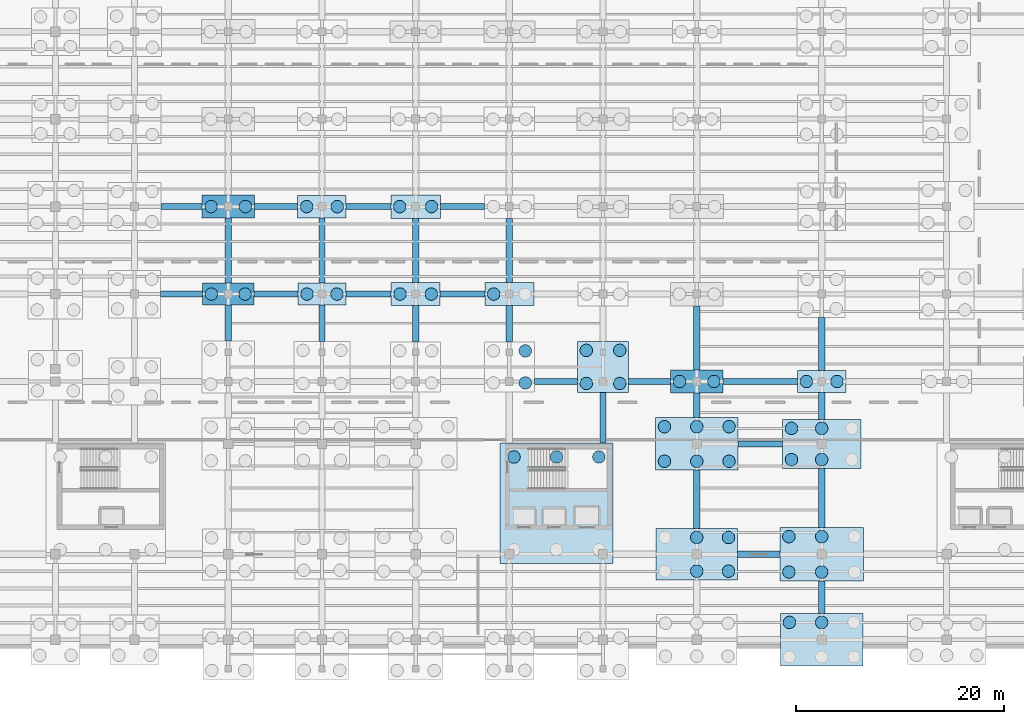
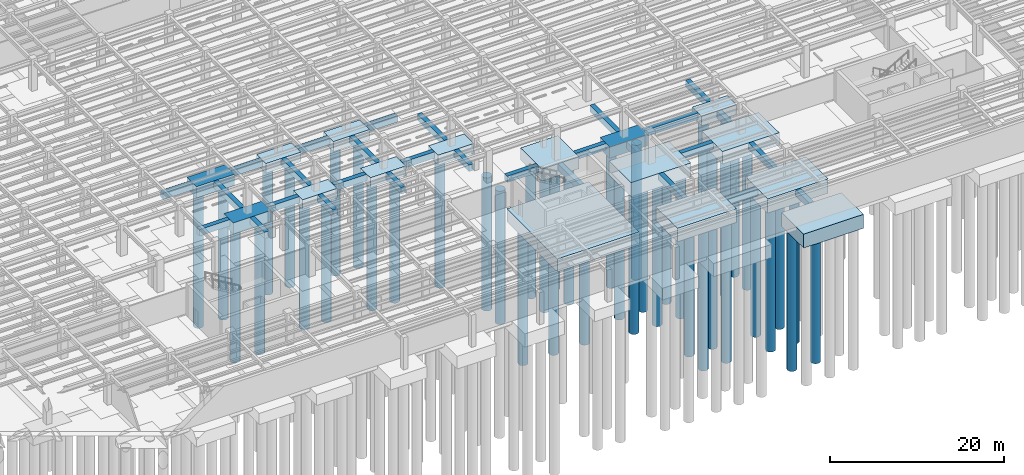
# One storey, part 6 of 49: 46 piles, 45 footings.
"""IFC4 building model written with IfcOpenShell, lengths in metres."""

import ifcopenshell
import ifcopenshell.guid

model = None  # the IFC model being written
_history = None  # IfcOwnerHistory: only IFC2X3 demands one
_inside = {}  # id of a spatial element -> (the spatial element, [elements in it])
_under = {}  # id of a project, library or spatial element -> (it, [spatial elements below it])
_declared = {}  # id of a project -> (the project, [libraries it declares])
_typed = {}  # id of a type object -> (the type object, [elements of that type])
_made_of = {}  # id of a material, layer set ... -> (it, [elements and type objects made of it])


def new_model(schema):
    """Start an empty IFC model of exactly this schema.

    Asked for "IFC4X3", IfcOpenShell would pick the latest addendum, in which some entities
    have other attributes; the version numbers below select the first issue.
    IFC2X3 requires an IfcOwnerHistory on every rooted entity: one is made here for all.
    """
    global model, _history
    if schema == "IFC4X3":
        model = ifcopenshell.file(schema_version=(4, 3, 0, 0))
    else:
        model = ifcopenshell.file(schema=schema)
    _inside.clear()
    _under.clear()
    _declared.clear()
    _typed.clear()
    _made_of.clear()
    _history = None
    if model.schema == "IFC2X3":
        org = make("IfcOrganization", Name="unknown")
        user = make(
            "IfcPersonAndOrganization",
            ThePerson=make("IfcPerson", FamilyName="unknown"),
            TheOrganization=org,
        )
        app = make(
            "IfcApplication",
            ApplicationDeveloper=org,
            Version="unknown",
            ApplicationFullName="unknown",
            ApplicationIdentifier="unknown",
        )
        _history = make(
            "IfcOwnerHistory",
            OwningUser=user,
            OwningApplication=app,
            ChangeAction="ADDED",
            CreationDate=0,
        )
    return model


def make(cls, **values):
    """One entity of the class cls with the attributes given. An attribute that is None is left unset."""
    return model.create_entity(
        cls, **{name: value for name, value in values.items() if value is not None}
    )


def rooted(cls, **values):
    """An entity with a GlobalId (a new one), such as an element, a storey or a relation."""
    return make(cls, GlobalId=ifcopenshell.guid.new(), OwnerHistory=_history, **values)


def si_unit(unit_type, name, prefix=None):
    """IfcSIUnit, for example si_unit("LENGTHUNIT", "METRE", prefix="MILLI")."""
    return make("IfcSIUnit", UnitType=unit_type, Prefix=prefix, Name=name)


def assignment(units):
    """IfcUnitAssignment: the units of a project."""
    return None if units is None else make("IfcUnitAssignment", Units=units)


def point(xyz):
    """IfcCartesianPoint."""
    return None if xyz is None else make("IfcCartesianPoint", Coordinates=xyz)


def direction(xyz):
    """IfcDirection."""
    return None if xyz is None else make("IfcDirection", DirectionRatios=xyz)


def frame(location, z_axis=None, x_axis=None):
    """IfcAxis2Placement3D, a coordinate frame: its origin and axes. An axis left out is left unset."""
    return make(
        "IfcAxis2Placement3D",
        Location=point(location),
        Axis=direction(z_axis),
        RefDirection=direction(x_axis),
    )


def frame_2d(location, x_axis=None):
    """IfcAxis2Placement2D, a coordinate frame in the plane: its origin and x axis."""
    return make(
        "IfcAxis2Placement2D", Location=point(location), RefDirection=direction(x_axis)
    )


def origin():
    """The frame at (0, 0, 0) with its axes left unset."""
    return frame((0.0, 0.0, 0.0))


def origin_2d():
    """The frame at (0, 0) in the plane with its x axis left unset."""
    return frame_2d((0.0, 0.0))


def place(relative_to, where):
    """IfcLocalPlacement: puts the frame where relative to a parent placement (None: the world)."""
    return make(
        "IfcLocalPlacement", PlacementRelTo=relative_to, RelativePlacement=where
    )


def context(
    kind, dimensions, precision=None, world=None, true_north=None, identifier=None
):
    """IfcGeometricRepresentationContext, for example the 3D "Model" context."""
    return make(
        "IfcGeometricRepresentationContext",
        ContextIdentifier=identifier,
        ContextType=kind,
        CoordinateSpaceDimension=dimensions,
        Precision=precision,
        WorldCoordinateSystem=world,
        TrueNorth=true_north,
    )


def subcontext(parent, identifier, kind, view, scale=None):
    """IfcGeometricRepresentationSubContext, for example "Body" below "Model"."""
    return make(
        "IfcGeometricRepresentationSubContext",
        ContextIdentifier=identifier,
        ContextType=kind,
        ParentContext=parent,
        TargetScale=scale,
        TargetView=view,
    )


def project(units=None, contexts=None):
    """IfcProject with its units and contexts."""
    return rooted(
        "IfcProject",
        Name="project",
        RepresentationContexts=contexts,
        UnitsInContext=assignment(units),
    )


def spatial(cls, under=None, at=None, **own):
    """A site, building, storey or space (cls), placed at a placement, below another one or the project."""
    s = rooted(cls, ObjectPlacement=at, **own)
    if under is not None:
        _under.setdefault(under.id(), (under, []))[1].append(s)
    return s


def profile(cls, at=None, kind="AREA", **sizes):
    """A parametric profile (cls). Its sizes go by their IFC names, for example OverallWidth=200.0."""
    return make(cls, ProfileType=kind, Position=at, **sizes)


def rectangle(**sizes):
    """IfcRectangleProfileDef."""
    return profile("IfcRectangleProfileDef", **sizes)


def circle(**sizes):
    """IfcCircleProfileDef."""
    return profile("IfcCircleProfileDef", **sizes)


def extrude(swept, where, along, depth):
    """IfcExtrudedAreaSolid: the profile swept, set in the frame where, extruded along a direction by depth."""
    return make(
        "IfcExtrudedAreaSolid",
        SweptArea=swept,
        Position=where,
        ExtrudedDirection=direction(along),
        Depth=depth,
    )


def shape(context_of_items, identifier, shape_type, items):
    """IfcShapeRepresentation: the items that make up one representation, for example the "Body"."""
    return make(
        "IfcShapeRepresentation",
        ContextOfItems=context_of_items,
        RepresentationIdentifier=identifier,
        RepresentationType=shape_type,
        Items=items,
    )


def material(Name=None, Category=None):
    """IfcMaterial."""
    return make("IfcMaterial", Name=Name, Category=Category)


def material_profile(
    of_material, cross_section, Name=None, Category=None, Priority=None
):
    """IfcMaterialProfile: a cross section and its material."""
    return make(
        "IfcMaterialProfile",
        Name=Name,
        Material=of_material,
        Profile=cross_section,
        Priority=Priority,
        Category=Category,
    )


def profile_set(profiles, Name=None, composite=None):
    """IfcMaterialProfileSet."""
    return make(
        "IfcMaterialProfileSet",
        Name=Name,
        MaterialProfiles=profiles,
        CompositeProfile=composite,
    )


def made_of(thing, what):
    """Note that an element or type object is made of a material, layer set ...; save() writes the relation."""
    if what is not None:
        _made_of.setdefault(what.id(), (what, []))[1].append(thing)
    return thing


def type_object(cls, material=None, **own):
    """A type object (cls), such as IfcWallType, which elements share."""
    return made_of(rooted(cls, **own), material)


def element(
    cls,
    number,
    at=None,
    inside=None,
    cuts=None,
    type_object=None,
    material=None,
    context=None,
    identifier="Body",
    shape_type=None,
    held_by="IfcProductDefinitionShape",
    body=None,
    shapes=None,
    **own,
):
    """One element of the class cls, such as IfcWall. Its Tag is "e" and its number.

    at: its placement. inside: the storey or other place that contains it. cuts: it is an
    opening in that element (IfcRelVoidsElement). A single representation is given by context,
    identifier, shape_type and body (its items); several are given by shapes. held_by: the class
    of the entity that holds the representations. save() writes the other relations.
    """
    e = rooted(cls, Tag="e%d" % number, ObjectPlacement=at, **own)
    if body is not None:
        shapes = [shape(context, identifier, shape_type, body)]
    if shapes is not None:
        e.Representation = make(held_by, Representations=shapes)
    if inside is not None:
        _inside.setdefault(inside.id(), (inside, []))[1].append(e)
    if cuts is not None:
        rooted(
            "IfcRelVoidsElement", RelatingBuildingElement=cuts, RelatedOpeningElement=e
        )
    if type_object is not None:
        _typed.setdefault(type_object.id(), (type_object, []))[1].append(e)
    return made_of(e, material)


def aggregate(whole, parts):
    """IfcRelAggregates: a whole, such as a stair, and the parts it consists of."""
    return rooted("IfcRelAggregates", RelatingObject=whole, RelatedObjects=parts)


def save(model, path):
    """Write the relations noted so far, then the file.

    IfcRelAggregates (storeys below a building ...), IfcRelContainedInSpatialStructure (elements
    in a storey), IfcRelDefinesByType, IfcRelAssociatesMaterial and IfcRelDeclares: one each for
    every whole, place, type object, material and project.
    """
    for whole, parts in _under.values():
        aggregate(whole, parts)
    for where, things in _inside.values():
        rooted(
            "IfcRelContainedInSpatialStructure",
            RelatedElements=things,
            RelatingStructure=where,
        )
    for kind, things in _typed.values():
        rooted("IfcRelDefinesByType", RelatedObjects=things, RelatingType=kind)
    for what, things in _made_of.values():
        rooted("IfcRelAssociatesMaterial", RelatedObjects=things, RelatingMaterial=what)
    for by, libraries in _declared.values():
        rooted("IfcRelDeclares", RelatingContext=by, RelatedDefinitions=libraries)
    model.write(path)


model = new_model("IFC4")

# Units and contexts
model_context = context("Model", 3, precision=1e-05, world=origin(), true_north=direction((0.0, 1.0)))
body_context = subcontext(model_context, "Body", "Model", "MODEL_VIEW")
ifc_project = project(units=[si_unit("LENGTHUNIT", "METRE"), si_unit("AREAUNIT", "SQUARE_METRE"), si_unit("VOLUMEUNIT", "CUBIC_METRE"), si_unit("PLANEANGLEUNIT", "RADIAN"), si_unit("MASSUNIT", "GRAM", prefix="KILO")], contexts=[model_context])

# Site, building, storey
site_placement = place(None, origin())
site = spatial("IfcSite", under=ifc_project, at=site_placement, CompositionType="ELEMENT")
building_placement = place(site_placement, origin())
building = spatial("IfcBuilding", under=site, at=building_placement, Name="Sollismere Congress Hotel", CompositionType="ELEMENT")
storey_placement = place(building_placement, frame((0.0, 0.0, -4.5)))
storey = spatial("IfcBuildingStorey", under=building, at=storey_placement, Name="B1", CompositionType="ELEMENT", Elevation=-4.5)

# Footings
ifc_material = material(Name="Concrete C40/50", Category="concrete")
footing_type_1 = type_object("IfcFootingType", Name="FT-GB600", PredefinedType="FOOTING_BEAM", material=ifc_material)
footing_1_placement = place(storey_placement, frame((117.949951171875, 8.199951171875, -0.89990234375), z_axis=(0.0, 0.0, 1.0), x_axis=(1.0, 0.0, 0.0)))
element("IfcFooting", 1, at=footing_1_placement, inside=storey, type_object=footing_type_1, Name="FTG-GB-019", PredefinedType="FOOTING_BEAM", context=body_context, shape_type="SweptSolid", body=[
    extrude(rectangle(XDim=4.080078125, YDim=0.60009765625, at=origin_2d()), origin(), (0.0, 0.0, 1.0), 0.89990234375),
])
footing_2_placement = place(storey_placement, frame((118.10009765625, 18.800048828125, -0.89990234375), z_axis=(0.0, 0.0, 1.0), x_axis=(1.0, 0.0, 0.0)))
element("IfcFooting", 2, at=footing_2_placement, inside=storey, type_object=footing_type_1, Name="FTG-GB-030", PredefinedType="FOOTING_BEAM", context=body_context, shape_type="SweptSolid", body=[
    extrude(rectangle(XDim=4.280029296875, YDim=0.60009765625, at=origin_2d()), origin(), (0.0, 0.0, 1.0), 0.89990234375),
])
footing_3_placement = place(storey_placement, frame((98.465087890625, 24.800048828125, -0.89990234375), z_axis=(0.0, 0.0, 1.0), x_axis=(1.0, 0.0, 0.0)))
element("IfcFooting", 3, at=footing_3_placement, inside=storey, type_object=footing_type_1, Name="FTG-GB-043", PredefinedType="FOOTING_BEAM", context=body_context, shape_type="SweptSolid", body=[
    extrude(rectangle(XDim=4.139892578125, YDim=0.60009765625, at=origin_2d()), origin(), (0.0, 0.0, 1.0), 0.89990234375),
])
footing_4_placement = place(storey_placement, frame((107.4775390625, 24.800048828125, -0.89990234375), z_axis=(0.0, 0.0, 1.0), x_axis=(1.0, 0.0, 0.0)))
element("IfcFooting", 4, at=footing_4_placement, inside=storey, type_object=footing_type_1, Name="FTG-GB-044", PredefinedType="FOOTING_BEAM", context=body_context, shape_type="SweptSolid", body=[
    extrude(rectangle(XDim=4.02490234375, YDim=0.60009765625, at=origin_2d()), origin(), (0.0, 0.0, 1.0), 0.89990234375),
])
footing_5_placement = place(storey_placement, frame((118.090087890625, 24.800048828125, -0.89990234375), z_axis=(0.0, 0.0, 1.0), x_axis=(1.0, 0.0, 0.0)))
element("IfcFooting", 5, at=footing_5_placement, inside=storey, type_object=footing_type_1, Name="FTG-GB-045", PredefinedType="FOOTING_BEAM", context=body_context, shape_type="SweptSolid", body=[
    extrude(rectangle(XDim=7.159912109375, YDim=0.60009765625, at=origin_2d()), origin(), (0.0, 0.0, 1.0), 0.89990234375),
])
footing_6_placement = place(storey_placement, frame((62.510009765625, 33.199951171875, -0.89990234375), z_axis=(0.0, 0.0, 1.0), x_axis=(1.0, 0.0, 0.0)))
element("IfcFooting", 6, at=footing_6_placement, inside=storey, type_object=footing_type_1, Name="FTG-GB-056", PredefinedType="FOOTING_BEAM", context=body_context, shape_type="SweptSolid", body=[
    extrude(rectangle(XDim=4.02001953125, YDim=0.60009765625, at=origin_2d()), origin(), (0.0, 0.0, 1.0), 0.89990234375),
])
footing_7_placement = place(storey_placement, frame((71.590087890625, 33.199951171875, -0.89990234375), z_axis=(0.0, 0.0, 1.0), x_axis=(1.0, 0.0, 0.0)))
element("IfcFooting", 7, at=footing_7_placement, inside=storey, type_object=footing_type_1, Name="FTG-GB-057", PredefinedType="FOOTING_BEAM", context=body_context, shape_type="SweptSolid", body=[
    extrude(rectangle(XDim=4.219970703125, YDim=0.60009765625, at=origin_2d()), origin(), (0.0, 0.0, 1.0), 0.89990234375),
])
footing_8_placement = place(storey_placement, frame((80.469970703125, 33.199951171875, -0.89990234375), z_axis=(0.0, 0.0, 1.0), x_axis=(1.0, 0.0, 0.0)))
element("IfcFooting", 8, at=footing_8_placement, inside=storey, type_object=footing_type_1, Name="FTG-GB-058", PredefinedType="FOOTING_BEAM", context=body_context, shape_type="SweptSolid", body=[
    extrude(rectangle(XDim=4.340087890625, YDim=0.60009765625, at=origin_2d()), origin(), (0.0, 0.0, 1.0), 0.89990234375),
])
footing_9_placement = place(storey_placement, frame((89.5, 33.199951171875, -0.89990234375), z_axis=(0.0, 0.0, 1.0), x_axis=(1.0, 0.0, 0.0)))
element("IfcFooting", 9, at=footing_9_placement, inside=storey, type_object=footing_type_1, Name="FTG-GB-059", PredefinedType="FOOTING_BEAM", context=body_context, shape_type="SweptSolid", body=[
    extrude(rectangle(XDim=4.280029296875, YDim=0.60009765625, at=origin_2d()), origin(), (0.0, 0.0, 1.0), 0.89990234375),
])
footing_10_placement = place(storey_placement, frame((62.510009765625, 41.60009765625, -0.89990234375), z_axis=(0.0, 0.0, 1.0), x_axis=(1.0, 0.0, 0.0)))
element("IfcFooting", 10, at=footing_10_placement, inside=storey, type_object=footing_type_1, Name="FTG-GB-073", PredefinedType="FOOTING_BEAM", context=body_context, shape_type="SweptSolid", body=[
    extrude(rectangle(XDim=3.9599609375, YDim=0.60009765625, at=origin_2d()), origin(), (0.0, 0.0, 1.0), 0.89990234375),
])
footing_11_placement = place(storey_placement, frame((71.590087890625, 41.60009765625, -0.89990234375), z_axis=(0.0, 0.0, 1.0), x_axis=(1.0, 0.0, 0.0)))
element("IfcFooting", 11, at=footing_11_placement, inside=storey, type_object=footing_type_1, Name="FTG-GB-074", PredefinedType="FOOTING_BEAM", context=body_context, shape_type="SweptSolid", body=[
    extrude(rectangle(XDim=4.159912109375, YDim=0.60009765625, at=origin_2d()), origin(), (0.0, 0.0, 1.0), 0.89990234375),
])
footing_12_placement = place(storey_placement, frame((80.469970703125, 41.60009765625, -0.89990234375), z_axis=(0.0, 0.0, 1.0), x_axis=(1.0, 0.0, 0.0)))
element("IfcFooting", 12, at=footing_12_placement, inside=storey, type_object=footing_type_1, Name="FTG-GB-075", PredefinedType="FOOTING_BEAM", context=body_context, shape_type="SweptSolid", body=[
    extrude(rectangle(XDim=4.280029296875, YDim=0.60009765625, at=origin_2d()), origin(), (0.0, 0.0, 1.0), 0.89990234375),
])
footing_13_placement = place(storey_placement, frame((89.5, 41.60009765625, -0.89990234375), z_axis=(0.0, 0.0, 1.0), x_axis=(1.0, 0.0, 0.0)))
element("IfcFooting", 13, at=footing_13_placement, inside=storey, type_object=footing_type_1, Name="FTG-GB-076", PredefinedType="FOOTING_BEAM", context=body_context, shape_type="SweptSolid", body=[
    extrude(rectangle(XDim=4.219970703125, YDim=0.60009765625, at=origin_2d()), origin(), (0.0, 0.0, 1.0), 0.89990234375),
])
footing_14_placement = place(storey_placement, frame((67.0, 30.41748046875, -0.89990234375), z_axis=(0.0, 0.0, 1.0), x_axis=(0.0, 1.0, 0.0)))
element("IfcFooting", 14, at=footing_14_placement, inside=storey, type_object=footing_type_1, Name="FTG-GB-316", PredefinedType="FOOTING_BEAM", context=body_context, shape_type="SweptSolid", body=[
    extrude(rectangle(XDim=3.4150390625, YDim=0.60009765625, at=origin_2d()), origin(), (0.0, 0.0, 1.0), 0.89990234375),
])
footing_15_placement = place(storey_placement, frame((67.0, 37.387451171875, -0.89990234375), z_axis=(0.0, 0.0, 1.0), x_axis=(0.0, 1.0, 0.0)))
element("IfcFooting", 15, at=footing_15_placement, inside=storey, type_object=footing_type_1, Name="FTG-GB-317", PredefinedType="FOOTING_BEAM", context=body_context, shape_type="SweptSolid", body=[
    extrude(rectangle(XDim=6.22509765625, YDim=0.60009765625, at=origin_2d()), origin(), (0.0, 0.0, 1.0), 0.89990234375),
])
footing_16_placement = place(storey_placement, frame((76.0, 30.39990234375, -0.89990234375), z_axis=(0.0, 0.0, 1.0), x_axis=(0.0, 1.0, 0.0)))
element("IfcFooting", 16, at=footing_16_placement, inside=storey, type_object=footing_type_1, Name="FTG-GB-329", PredefinedType="FOOTING_BEAM", context=body_context, shape_type="SweptSolid", body=[
    extrude(rectangle(XDim=3.5, YDim=0.60009765625, at=origin_2d()), origin(), (0.0, 0.0, 1.0), 0.89990234375),
])
footing_17_placement = place(storey_placement, frame((76.0, 37.387451171875, -0.89990234375), z_axis=(0.0, 0.0, 1.0), x_axis=(0.0, 1.0, 0.0)))
element("IfcFooting", 17, at=footing_17_placement, inside=storey, type_object=footing_type_1, Name="FTG-GB-330", PredefinedType="FOOTING_BEAM", context=body_context, shape_type="SweptSolid", body=[
    extrude(rectangle(XDim=6.27490234375, YDim=0.60009765625, at=origin_2d()), origin(), (0.0, 0.0, 1.0), 0.89990234375),
])
footing_18_placement = place(storey_placement, frame((85.0, 30.35009765625, -0.89990234375), z_axis=(0.0, 0.0, 1.0), x_axis=(0.0, 1.0, 0.0)))
element("IfcFooting", 18, at=footing_18_placement, inside=storey, type_object=footing_type_1, Name="FTG-GB-339", PredefinedType="FOOTING_BEAM", context=body_context, shape_type="SweptSolid", body=[
    extrude(rectangle(XDim=3.5, YDim=0.60009765625, at=origin_2d()), origin(), (0.0, 0.0, 1.0), 0.89990234375),
])
footing_19_placement = place(storey_placement, frame((85.0, 37.387451171875, -0.89990234375), z_axis=(0.0, 0.0, 1.0), x_axis=(0.0, 1.0, 0.0)))
element("IfcFooting", 19, at=footing_19_placement, inside=storey, type_object=footing_type_1, Name="FTG-GB-340", PredefinedType="FOOTING_BEAM", context=body_context, shape_type="SweptSolid", body=[
    extrude(rectangle(XDim=6.175048828125, YDim=0.60009765625, at=origin_2d()), origin(), (0.0, 0.0, 1.0), 0.89990234375),
])
footing_20_placement = place(storey_placement, frame((94.0, 30.35009765625, -0.89990234375), z_axis=(0.0, 0.0, 1.0), x_axis=(0.0, 1.0, 0.0)))
element("IfcFooting", 20, at=footing_20_placement, inside=storey, type_object=footing_type_1, Name="FTG-GB-348", PredefinedType="FOOTING_BEAM", context=body_context, shape_type="SweptSolid", body=[
    extrude(rectangle(XDim=3.5, YDim=0.60009765625, at=origin_2d()), origin(), (0.0, 0.0, 1.0), 0.89990234375),
])
footing_21_placement = place(storey_placement, frame((94.0, 37.387451171875, -0.89990234375), z_axis=(0.0, 0.0, 1.0), x_axis=(0.0, 1.0, 0.0)))
element("IfcFooting", 21, at=footing_21_placement, inside=storey, type_object=footing_type_1, Name="FTG-GB-349", PredefinedType="FOOTING_BEAM", context=body_context, shape_type="SweptSolid", body=[
    extrude(rectangle(XDim=6.175048828125, YDim=0.60009765625, at=origin_2d()), origin(), (0.0, 0.0, 1.0), 0.89990234375),
])
footing_22_placement = place(storey_placement, frame((103.0, 21.324951171875, -0.89990234375), z_axis=(0.0, 0.0, 1.0), x_axis=(0.0, 1.0, 0.0)))
element("IfcFooting", 22, at=footing_22_placement, inside=storey, type_object=footing_type_1, Name="FTG-GB-359", PredefinedType="FOOTING_BEAM", context=body_context, shape_type="SweptSolid", body=[
    extrude(rectangle(XDim=4.85009765625, YDim=0.60009765625, at=origin_2d()), origin(), (0.0, 0.0, 1.0), 0.89990234375),
])
footing_23_placement = place(storey_placement, frame((112.0, 13.47998046875, -0.89990234375), z_axis=(0.0, 0.0, 1.0), x_axis=(0.0, 1.0, 0.0)))
element("IfcFooting", 23, at=footing_23_placement, inside=storey, type_object=footing_type_1, Name="FTG-GB-371", PredefinedType="FOOTING_BEAM", context=body_context, shape_type="SweptSolid", body=[
    extrude(rectangle(XDim=5.60009765625, YDim=0.60009765625, at=origin_2d()), origin(), (0.0, 0.0, 1.0), 0.89990234375),
])
footing_24_placement = place(storey_placement, frame((112.0, 22.510009765625, -0.89990234375), z_axis=(0.0, 0.0, 1.0), x_axis=(0.0, 1.0, 0.0)))
element("IfcFooting", 24, at=footing_24_placement, inside=storey, type_object=footing_type_1, Name="FTG-GB-372", PredefinedType="FOOTING_BEAM", context=body_context, shape_type="SweptSolid", body=[
    extrude(rectangle(XDim=2.3798828125, YDim=0.60009765625, at=origin_2d()), origin(), (0.0, 0.0, 1.0), 0.89990234375),
])
footing_25_placement = place(storey_placement, frame((112.0, 28.987548828125, -0.89990234375), z_axis=(0.0, 0.0, 1.0), x_axis=(0.0, 1.0, 0.0)))
element("IfcFooting", 25, at=footing_25_placement, inside=storey, type_object=footing_type_1, Name="FTG-GB-373", PredefinedType="FOOTING_BEAM", context=body_context, shape_type="SweptSolid", body=[
    extrude(rectangle(XDim=6.175048828125, YDim=0.60009765625, at=origin_2d()), origin(), (0.0, 0.0, 1.0), 0.89990234375),
])
footing_26_placement = place(storey_placement, frame((124.0, 4.080078125, -0.89990234375), z_axis=(0.0, 0.0, 1.0), x_axis=(0.0, 1.0, 0.0)))
element("IfcFooting", 26, at=footing_26_placement, inside=storey, type_object=footing_type_1, Name="FTG-GB-383", PredefinedType="FOOTING_BEAM", context=body_context, shape_type="SweptSolid", body=[
    extrude(rectangle(XDim=3.1201171875, YDim=0.60009765625, at=origin_2d()), origin(), (0.0, 0.0, 1.0), 0.89990234375),
])
footing_27_placement = place(storey_placement, frame((124.0, 13.60009765625, -0.89990234375), z_axis=(0.0, 0.0, 1.0), x_axis=(0.0, 1.0, 0.0)))
element("IfcFooting", 27, at=footing_27_placement, inside=storey, type_object=footing_type_1, Name="FTG-GB-384", PredefinedType="FOOTING_BEAM", context=body_context, shape_type="SweptSolid", body=[
    extrude(rectangle(XDim=5.679931640625, YDim=0.60009765625, at=origin_2d()), origin(), (0.0, 0.0, 1.0), 0.89990234375),
])
footing_28_placement = place(storey_placement, frame((124.0, 22.4423828125, -0.89990234375), z_axis=(0.0, 0.0, 1.0), x_axis=(0.0, 1.0, 0.0)))
element("IfcFooting", 28, at=footing_28_placement, inside=storey, type_object=footing_type_1, Name="FTG-GB-385", PredefinedType="FOOTING_BEAM", context=body_context, shape_type="SweptSolid", body=[
    extrude(rectangle(XDim=2.56494140625, YDim=0.60009765625, at=origin_2d()), origin(), (0.0, 0.0, 1.0), 0.89990234375),
])
footing_29_placement = place(storey_placement, frame((124.0, 28.407470703125, -0.89990234375), z_axis=(0.0, 0.0, 1.0), x_axis=(0.0, 1.0, 0.0)))
element("IfcFooting", 29, at=footing_29_placement, inside=storey, type_object=footing_type_1, Name="FTG-GB-386", PredefinedType="FOOTING_BEAM", context=body_context, shape_type="SweptSolid", body=[
    extrude(rectangle(XDim=5.06494140625, YDim=0.60009765625, at=origin_2d()), origin(), (0.0, 0.0, 1.0), 0.89990234375),
])
footing_type_2 = type_object("IfcFootingType", Name="FT-MAT-K2", PredefinedType="PILE_CAP", material=ifc_material)
footing_30_placement = place(storey_placement, frame((98.52490234375, 13.10009765625, -1.7998046875), z_axis=(0.0, 0.0, 1.0), x_axis=(1.0, 0.0, 0.0)))
element("IfcFooting", 30, at=footing_30_placement, inside=storey, type_object=footing_type_2, Name="Core pile cap mat PCM-K2", PredefinedType="PILE_CAP", context=body_context, shape_type="SweptSolid", body=[
    extrude(rectangle(XDim=10.85009765625, YDim=11.60009765625, at=origin_2d()), origin(), (0.0, 0.0, 1.0), 1.800048828125),
])
footing_type_3 = type_object("IfcFootingType", Name="FT-PC2-01", PredefinedType="PILE_CAP", material=ifc_material)
footing_31_placement = place(storey_placement, frame((76.0, 33.199951171875, -1.2998046875), z_axis=(0.0, 0.0, 1.0), x_axis=(1.0, 0.0, 0.0)))
element("IfcFooting", 31, at=footing_31_placement, inside=storey, type_object=footing_type_3, Name="Reinforced concrete pile cap PC-121", PredefinedType="PILE_CAP", context=body_context, shape_type="SweptSolid", body=[
    extrude(rectangle(XDim=4.60009765625, YDim=2.10009765625, at=origin_2d()), origin(), (0.0, 0.0, 1.0), 1.300048828125),
])
footing_type_4 = type_object("IfcFootingType", Name="FT-PC2-02", PredefinedType="PILE_CAP", material=ifc_material)
for number, where, z_axis, x_axis, name in (
    (32, (76.0, 41.60009765625, -1.33984375), (0.0, 0.0, 1.0), (1.0, 0.0, 0.0), "Reinforced concrete pile cap PC-122"),
    (33, (124.0, 24.800048828125, -1.33984375), (0.0, 0.0, 1.0), (1.0, 0.0, 0.0), "Reinforced concrete pile cap PC-182"),
):
    element("IfcFooting", number, at=place(storey_placement, frame(where, z_axis=z_axis, x_axis=x_axis)), inside=storey, type_object=footing_type_4, Name=name, PredefinedType="PILE_CAP", context=body_context, shape_type="SweptSolid", body=[
        extrude(rectangle(XDim=4.659912109375, YDim=2.14990234375, at=origin_2d()), origin(), (0.0, 0.0, 1.0), 1.340087890625),
    ])
footing_type_5 = type_object("IfcFootingType", Name="FT-PC2-03", PredefinedType="PILE_CAP", material=ifc_material)
for number, where, z_axis, x_axis, name in (
    (34, (85.0, 33.199951171875, -1.3798828125), (0.0, 0.0, 1.0), (1.0, 0.0, 0.0), "Reinforced concrete pile cap PC-133"),
    (35, (94.0, 33.199951171875, -1.3798828125), (0.0, 0.0, 1.0), (1.0, 0.0, 0.0), "Reinforced concrete pile cap PC-143"),
):
    element("IfcFooting", number, at=place(storey_placement, frame(where, z_axis=z_axis, x_axis=x_axis)), inside=storey, type_object=footing_type_5, Name=name, PredefinedType="PILE_CAP", context=body_context, shape_type="SweptSolid", body=[
        extrude(rectangle(XDim=4.719970703125, YDim=2.199951171875, at=origin_2d()), origin(), (0.0, 0.0, 1.0), 1.3798828125),
    ])
footing_type_6 = type_object("IfcFootingType", Name="FT-PC2-04", PredefinedType="PILE_CAP", material=ifc_material)
footing_32_placement = place(storey_placement, frame((85.0, 41.60009765625, -1.419921875), z_axis=(0.0, 0.0, 1.0), x_axis=(1.0, 0.0, 0.0)))
element("IfcFooting", 36, at=footing_32_placement, inside=storey, type_object=footing_type_6, Name="Reinforced concrete pile cap PC-134", PredefinedType="PILE_CAP", context=body_context, shape_type="SweptSolid", body=[
    extrude(rectangle(XDim=4.780029296875, YDim=2.25, at=origin_2d()), origin(), (0.0, 0.0, 1.0), 1.419921875),
])
footing_type_7 = type_object("IfcFootingType", Name="FT-PC2-07", PredefinedType="PILE_CAP", material=ifc_material)
footing_33_placement = place(storey_placement, frame((67.0, 33.199951171875, -1.5400390625), z_axis=(0.0, 0.0, 1.0), x_axis=(1.0, 0.0, 0.0)))
element("IfcFooting", 37, at=footing_33_placement, inside=storey, type_object=footing_type_7, Name="Reinforced concrete pile cap PC-107", PredefinedType="PILE_CAP", context=body_context, shape_type="SweptSolid", body=[
    extrude(rectangle(XDim=4.9599609375, YDim=2.14990234375, at=origin_2d()), origin(), (0.0, 0.0, 1.0), 1.5400390625),
])
footing_type_8 = type_object("IfcFootingType", Name="FT-PC2-08", PredefinedType="PILE_CAP", material=ifc_material)
for number, where, z_axis, x_axis, name in (
    (38, (67.0, 41.60009765625, -1.580078125), (0.0, 0.0, 1.0), (1.0, 0.0, 0.0), "Reinforced concrete pile cap PC-108"),
    (39, (112.0, 24.800048828125, -1.580078125), (0.0, 0.0, 1.0), (1.0, 0.0, 0.0), "Reinforced concrete pile cap PC-168"),
):
    element("IfcFooting", number, at=place(storey_placement, frame(where, z_axis=z_axis, x_axis=x_axis)), inside=storey, type_object=footing_type_8, Name=name, PredefinedType="PILE_CAP", context=body_context, shape_type="SweptSolid", body=[
        extrude(rectangle(XDim=5.02001953125, YDim=2.199951171875, at=origin_2d()), origin(), (0.0, 0.0, 1.0), 1.580078125),
    ])
footing_type_9 = type_object("IfcFootingType", Name="FT-PC4H-04", PredefinedType="PILE_CAP", material=ifc_material)
footing_34_placement = place(storey_placement, frame((103.0, 26.199951171875, -1.669921875), z_axis=(0.0, 0.0, 1.0), x_axis=(1.0, 0.0, 0.0)))
element("IfcFooting", 40, at=footing_34_placement, inside=storey, type_object=footing_type_9, Name="Reinforced concrete pile cap PC-154", PredefinedType="PILE_CAP", context=body_context, shape_type="SweptSolid", body=[
    extrude(rectangle(XDim=4.929931640625, YDim=4.89990234375, at=origin_2d()), origin(), (0.0, 0.0, 1.0), 1.669921875),
])
footing_type_10 = type_object("IfcFootingType", Name="FT-PC6-01", PredefinedType="PILE_CAP", material=ifc_material)
footing_35_placement = place(storey_placement, frame((124.0, 18.800048828125, -1.75), z_axis=(0.0, 0.0, 1.0), x_axis=(1.0, 0.0, 0.0)))
element("IfcFooting", 41, at=footing_35_placement, inside=storey, type_object=footing_type_10, Name="Reinforced concrete pile cap PC-181", PredefinedType="PILE_CAP", context=body_context, shape_type="SweptSolid", body=[
    extrude(rectangle(XDim=7.52001953125, YDim=4.719970703125, at=origin_2d()), origin(), (0.0, 0.0, 1.0), 1.75),
])
footing_type_11 = type_object("IfcFootingType", Name="FT-PC6-04", PredefinedType="PILE_CAP", material=ifc_material)
footing_36_placement = place(storey_placement, frame((112.0, 8.199951171875, -1.89990234375), z_axis=(0.0, 0.0, 1.0), x_axis=(1.0, 0.0, 0.0)))
element("IfcFooting", 42, at=footing_36_placement, inside=storey, type_object=footing_type_11, Name="Reinforced concrete pile cap PC-166", PredefinedType="PILE_CAP", context=body_context, shape_type="SweptSolid", body=[
    extrude(rectangle(XDim=7.820068359375, YDim=4.9599609375, at=origin_2d()), origin(), (0.0, 0.0, 1.0), 1.89990234375),
])
footing_type_12 = type_object("IfcFootingType", Name="FT-PC6-05", PredefinedType="PILE_CAP", material=ifc_material)
for number, where, z_axis, x_axis, name in (
    (43, (112.0, 18.800048828125, -1.9501953125), (0.0, 0.0, 1.0), (1.0, 0.0, 0.0), "Reinforced concrete pile cap PC-167"),
    (44, (124.0, 0.0, -1.9501953125), (0.0, 0.0, 1.0), (1.0, 0.0, 0.0), "Reinforced concrete pile cap PC-179"),
):
    element("IfcFooting", number, at=place(storey_placement, frame(where, z_axis=z_axis, x_axis=x_axis)), inside=storey, type_object=footing_type_12, Name=name, PredefinedType="PILE_CAP", context=body_context, shape_type="SweptSolid", body=[
        extrude(rectangle(XDim=7.919921875, YDim=5.0400390625, at=origin_2d()), origin(), (0.0, 0.0, 1.0), 1.949951171875),
    ])
footing_type_13 = type_object("IfcFootingType", Name="FT-PC6-06", PredefinedType="PILE_CAP", material=ifc_material)
footing_37_placement = place(storey_placement, frame((124.0, 8.199951171875, -2.0), z_axis=(0.0, 0.0, 1.0), x_axis=(1.0, 0.0, 0.0)))
element("IfcFooting", 45, at=footing_37_placement, inside=storey, type_object=footing_type_13, Name="Reinforced concrete pile cap PC-180", PredefinedType="PILE_CAP", context=body_context, shape_type="SweptSolid", body=[
    extrude(rectangle(XDim=8.02001953125, YDim=5.1201171875, at=origin_2d()), origin(), (0.0, 0.0, 1.0), 2.0),
])

# Piles
ifc_material_profile = material_profile(ifc_material, circle(Radius=0.60009765625, at=origin_2d()), Name="CAISSON1200")
ifc_profile_set = profile_set([ifc_material_profile], Name="Concrete C40/50")
pile_type = type_object("IfcPileType", Name="PL-CS1200", PredefinedType="BORED", material=ifc_profile_set)
for number, where, z_axis, x_axis, name in (
    (46, (65.3798828125, 33.199951171875, -1.43994140625), (0.0, 0.0, -1.0), (1.0, 0.0, 0.0), "Bored rock-socketed caisson PL-331"),
    (47, (68.6201171875, 33.199951171875, -1.43994140625), (0.0, 0.0, -1.0), (1.0, 0.0, 0.0), "Bored rock-socketed caisson PL-332"),
):
    element("IfcPile", number, at=place(storey_placement, frame(where, z_axis=z_axis, x_axis=x_axis)), inside=storey, type_object=pile_type, Name=name, PredefinedType="BORED", context=body_context, shape_type="SweptSolid", body=[
        extrude(circle(Radius=0.60009765625, at=origin_2d()), origin(), (0.0, 0.0, 1.0), 18.699951171875),
    ])
for number, where, z_axis, x_axis, name in (
    (48, (65.35009765625, 41.60009765625, -1.47998046875), (0.0, 0.0, -1.0), (1.0, 0.0, 0.0), "Bored rock-socketed caisson PL-333"),
    (49, (68.64990234375, 41.60009765625, -1.47998046875), (0.0, 0.0, -1.0), (1.0, 0.0, 0.0), "Bored rock-socketed caisson PL-334"),
):
    element("IfcPile", number, at=place(storey_placement, frame(where, z_axis=z_axis, x_axis=x_axis)), inside=storey, type_object=pile_type, Name=name, PredefinedType="BORED", context=body_context, shape_type="SweptSolid", body=[
        extrude(circle(Radius=0.60009765625, at=origin_2d()), origin(), (0.0, 0.0, 1.0), 18.89990234375),
    ])
for number, where, z_axis, x_axis, name in (
    (50, (74.56005859375, 33.199951171875, -1.199951171875), (0.0, 0.0, -1.0), (1.0, 0.0, 0.0), "Bored rock-socketed caisson PL-377"),
    (51, (77.43994140625, 33.199951171875, -1.199951171875), (0.0, 0.0, -1.0), (1.0, 0.0, 0.0), "Bored rock-socketed caisson PL-378"),
):
    element("IfcPile", number, at=place(storey_placement, frame(where, z_axis=z_axis, x_axis=x_axis)), inside=storey, type_object=pile_type, Name=name, PredefinedType="BORED", context=body_context, shape_type="SweptSolid", body=[
        extrude(circle(Radius=0.60009765625, at=origin_2d()), origin(), (0.0, 0.0, 1.0), 17.5),
    ])
for number, where, z_axis, x_axis, name in (
    (52, (74.530029296875, 41.60009765625, -1.239990234375), (0.0, 0.0, -1.0), (1.0, 0.0, 0.0), "Bored rock-socketed caisson PL-379"),
    (53, (77.469970703125, 41.60009765625, -1.239990234375), (0.0, 0.0, -1.0), (1.0, 0.0, 0.0), "Bored rock-socketed caisson PL-380"),
):
    element("IfcPile", number, at=place(storey_placement, frame(where, z_axis=z_axis, x_axis=x_axis)), inside=storey, type_object=pile_type, Name=name, PredefinedType="BORED", context=body_context, shape_type="SweptSolid", body=[
        extrude(circle(Radius=0.60009765625, at=origin_2d()), origin(), (0.0, 0.0, 1.0), 17.699951171875),
    ])
for number, where, z_axis, x_axis, name in (
    (54, (83.5, 33.199951171875, -1.280029296875), (0.0, 0.0, -1.0), (1.0, 0.0, 0.0), "Bored rock-socketed caisson PL-419"),
    (55, (86.5, 33.199951171875, -1.280029296875), (0.0, 0.0, -1.0), (1.0, 0.0, 0.0), "Bored rock-socketed caisson PL-420"),
):
    element("IfcPile", number, at=place(storey_placement, frame(where, z_axis=z_axis, x_axis=x_axis)), inside=storey, type_object=pile_type, Name=name, PredefinedType="BORED", context=body_context, shape_type="SweptSolid", body=[
        extrude(circle(Radius=0.60009765625, at=origin_2d()), origin(), (0.0, 0.0, 1.0), 17.89990234375),
    ])
for number, where, z_axis, x_axis, name in (
    (56, (83.469970703125, 41.60009765625, -1.320068359375), (0.0, 0.0, -1.0), (1.0, 0.0, 0.0), "Bored rock-socketed caisson PL-421"),
    (57, (86.530029296875, 41.60009765625, -1.320068359375), (0.0, 0.0, -1.0), (1.0, 0.0, 0.0), "Bored rock-socketed caisson PL-422"),
):
    element("IfcPile", number, at=place(storey_placement, frame(where, z_axis=z_axis, x_axis=x_axis)), inside=storey, type_object=pile_type, Name=name, PredefinedType="BORED", context=body_context, shape_type="SweptSolid", body=[
        extrude(circle(Radius=0.60009765625, at=origin_2d()), origin(), (0.0, 0.0, 1.0), 18.10009765625),
    ])
for number, where, z_axis, x_axis, name in (
    (58, (95.534912109375, 24.659912109375, -1.489990234375), (0.0, 0.0, -1.0), (1.0, 0.0, 0.0), "Bored rock-socketed caisson PL-446"),
    (59, (95.534912109375, 27.739990234375, -1.489990234375), (0.0, 0.0, -1.0), (1.0, 0.0, 0.0), "Bored rock-socketed caisson PL-448"),
):
    element("IfcPile", number, at=place(storey_placement, frame(where, z_axis=z_axis, x_axis=x_axis)), inside=storey, type_object=pile_type, Name=name, PredefinedType="BORED", context=body_context, shape_type="SweptSolid", body=[
        extrude(circle(Radius=0.60009765625, at=origin_2d()), origin(), (0.0, 0.0, 1.0), 18.64990234375),
    ])
pile_placement = place(storey_placement, frame((92.5, 33.199951171875, -1.280029296875), z_axis=(0.0, 0.0, -1.0), x_axis=(1.0, 0.0, 0.0)))
element("IfcPile", 60, at=pile_placement, inside=storey, type_object=pile_type, Name="Bored rock-socketed caisson PL-449", PredefinedType="BORED", context=body_context, shape_type="SweptSolid", body=[
    extrude(circle(Radius=0.60009765625, at=origin_2d()), origin(), (0.0, 0.0, 1.0), 17.89990234375),
])
for number, where, z_axis, x_axis, name in (
    (61, (101.39501953125, 24.610107421875, -1.570068359375), (0.0, 0.0, -1.0), (1.0, 0.0, 0.0), "Bored rock-socketed caisson PL-483"),
    (62, (104.60498046875, 24.610107421875, -1.570068359375), (0.0, 0.0, -1.0), (1.0, 0.0, 0.0), "Bored rock-socketed caisson PL-484"),
    (63, (101.39501953125, 27.7900390625, -1.570068359375), (0.0, 0.0, -1.0), (1.0, 0.0, 0.0), "Bored rock-socketed caisson PL-485"),
    (64, (104.60498046875, 27.7900390625, -1.570068359375), (0.0, 0.0, -1.0), (1.0, 0.0, 0.0), "Bored rock-socketed caisson PL-486"),
):
    element("IfcPile", number, at=place(storey_placement, frame(where, z_axis=z_axis, x_axis=x_axis)), inside=storey, type_object=pile_type, Name=name, PredefinedType="BORED", context=body_context, shape_type="SweptSolid", body=[
        extrude(circle(Radius=0.60009765625, at=origin_2d()), origin(), (0.0, 0.0, 1.0), 18.949951171875),
    ])
for number, where, z_axis, x_axis, name in (
    (65, (112.0, 6.580078125, -1.800048828125), (0.0, 0.0, -1.0), (1.0, 0.0, 0.0), "Bored rock-socketed caisson PL-524"),
    (66, (115.050048828125, 6.580078125, -1.800048828125), (0.0, 0.0, -1.0), (1.0, 0.0, 0.0), "Bored rock-socketed caisson PL-525"),
    (67, (112.0, 9.820068359375, -1.800048828125), (0.0, 0.0, -1.0), (1.0, 0.0, 0.0), "Bored rock-socketed caisson PL-527"),
    (68, (115.050048828125, 9.820068359375, -1.800048828125), (0.0, 0.0, -1.0), (1.0, 0.0, 0.0), "Bored rock-socketed caisson PL-528"),
):
    element("IfcPile", number, at=place(storey_placement, frame(where, z_axis=z_axis, x_axis=x_axis)), inside=storey, type_object=pile_type, Name=name, PredefinedType="BORED", context=body_context, shape_type="SweptSolid", body=[
        extrude(circle(Radius=0.60009765625, at=origin_2d()), origin(), (0.0, 0.0, 1.0), 19.64990234375),
    ])
for number, where, z_axis, x_axis, name in (
    (69, (108.89990234375, 17.139892578125, -1.85009765625), (0.0, 0.0, -1.0), (1.0, 0.0, 0.0), "Bored rock-socketed caisson PL-529"),
    (70, (112.0, 17.139892578125, -1.85009765625), (0.0, 0.0, -1.0), (1.0, 0.0, 0.0), "Bored rock-socketed caisson PL-530"),
    (71, (115.10009765625, 17.139892578125, -1.85009765625), (0.0, 0.0, -1.0), (1.0, 0.0, 0.0), "Bored rock-socketed caisson PL-531"),
    (72, (108.89990234375, 20.4599609375, -1.85009765625), (0.0, 0.0, -1.0), (1.0, 0.0, 0.0), "Bored rock-socketed caisson PL-532"),
    (73, (112.0, 20.4599609375, -1.85009765625), (0.0, 0.0, -1.0), (1.0, 0.0, 0.0), "Bored rock-socketed caisson PL-533"),
    (74, (115.10009765625, 20.4599609375, -1.85009765625), (0.0, 0.0, -1.0), (1.0, 0.0, 0.0), "Bored rock-socketed caisson PL-534"),
):
    element("IfcPile", number, at=place(storey_placement, frame(where, z_axis=z_axis, x_axis=x_axis)), inside=storey, type_object=pile_type, Name=name, PredefinedType="BORED", context=body_context, shape_type="SweptSolid", body=[
        extrude(circle(Radius=0.60009765625, at=origin_2d()), origin(), (0.0, 0.0, 1.0), 19.800048828125),
    ])
for number, where, z_axis, x_axis, name in (
    (75, (110.35009765625, 24.800048828125, -1.47998046875), (0.0, 0.0, -1.0), (1.0, 0.0, 0.0), "Bored rock-socketed caisson PL-535"),
    (76, (113.64990234375, 24.800048828125, -1.47998046875), (0.0, 0.0, -1.0), (1.0, 0.0, 0.0), "Bored rock-socketed caisson PL-536"),
):
    element("IfcPile", number, at=place(storey_placement, frame(where, z_axis=z_axis, x_axis=x_axis)), inside=storey, type_object=pile_type, Name=name, PredefinedType="BORED", context=body_context, shape_type="SweptSolid", body=[
        extrude(circle(Radius=0.60009765625, at=origin_2d()), origin(), (0.0, 0.0, 1.0), 18.89990234375),
    ])
for number, where, z_axis, x_axis, name in (
    (77, (120.89990234375, 1.659912109375, -1.85009765625), (0.0, 0.0, -1.0), (1.0, 0.0, 0.0), "Bored rock-socketed caisson PL-568"),
    (78, (124.0, 1.659912109375, -1.85009765625), (0.0, 0.0, -1.0), (1.0, 0.0, 0.0), "Bored rock-socketed caisson PL-569"),
):
    element("IfcPile", number, at=place(storey_placement, frame(where, z_axis=z_axis, x_axis=x_axis)), inside=storey, type_object=pile_type, Name=name, PredefinedType="BORED", context=body_context, shape_type="SweptSolid", body=[
        extrude(circle(Radius=0.60009765625, at=origin_2d()), origin(), (0.0, 0.0, 1.0), 19.800048828125),
    ])
for number, where, z_axis, x_axis, name in (
    (79, (120.85009765625, 6.5, -1.89990234375), (0.0, 0.0, -1.0), (1.0, 0.0, 0.0), "Bored rock-socketed caisson PL-571"),
    (80, (124.0, 6.5, -1.89990234375), (0.0, 0.0, -1.0), (1.0, 0.0, 0.0), "Bored rock-socketed caisson PL-572"),
    (81, (120.85009765625, 9.89990234375, -1.89990234375), (0.0, 0.0, -1.0), (1.0, 0.0, 0.0), "Bored rock-socketed caisson PL-574"),
    (82, (124.0, 9.89990234375, -1.89990234375), (0.0, 0.0, -1.0), (1.0, 0.0, 0.0), "Bored rock-socketed caisson PL-575"),
):
    element("IfcPile", number, at=place(storey_placement, frame(where, z_axis=z_axis, x_axis=x_axis)), inside=storey, type_object=pile_type, Name=name, PredefinedType="BORED", context=body_context, shape_type="SweptSolid", body=[
        extrude(circle(Radius=0.60009765625, at=origin_2d()), origin(), (0.0, 0.0, 1.0), 19.949951171875),
    ])
for number, where, z_axis, x_axis, name in (
    (83, (121.10009765625, 17.300048828125, -1.64990234375), (0.0, 0.0, -1.0), (1.0, 0.0, 0.0), "Bored rock-socketed caisson PL-577"),
    (84, (124.0, 17.300048828125, -1.64990234375), (0.0, 0.0, -1.0), (1.0, 0.0, 0.0), "Bored rock-socketed caisson PL-578"),
    (85, (121.10009765625, 20.300048828125, -1.64990234375), (0.0, 0.0, -1.0), (1.0, 0.0, 0.0), "Bored rock-socketed caisson PL-580"),
    (86, (124.0, 20.300048828125, -1.64990234375), (0.0, 0.0, -1.0), (1.0, 0.0, 0.0), "Bored rock-socketed caisson PL-581"),
):
    element("IfcPile", number, at=place(storey_placement, frame(where, z_axis=z_axis, x_axis=x_axis)), inside=storey, type_object=pile_type, Name=name, PredefinedType="BORED", context=body_context, shape_type="SweptSolid", body=[
        extrude(circle(Radius=0.60009765625, at=origin_2d()), origin(), (0.0, 0.0, 1.0), 19.199951171875),
    ])
for number, where, z_axis, x_axis, name in (
    (87, (122.530029296875, 24.800048828125, -1.239990234375), (0.0, 0.0, -1.0), (1.0, 0.0, 0.0), "Bored rock-socketed caisson PL-583"),
    (88, (125.469970703125, 24.800048828125, -1.239990234375), (0.0, 0.0, -1.0), (1.0, 0.0, 0.0), "Bored rock-socketed caisson PL-584"),
):
    element("IfcPile", number, at=place(storey_placement, frame(where, z_axis=z_axis, x_axis=x_axis)), inside=storey, type_object=pile_type, Name=name, PredefinedType="BORED", context=body_context, shape_type="SweptSolid", body=[
        extrude(circle(Radius=0.60009765625, at=origin_2d()), origin(), (0.0, 0.0, 1.0), 17.699951171875),
    ])
for number, where, z_axis, x_axis, name in (
    (89, (94.449951171875, 17.550048828125, -1.699951171875), (0.0, 0.0, -1.0), (1.0, 0.0, 0.0), "Bored rock-socketed caisson PL-820"),
    (90, (98.52490234375, 17.550048828125, -1.699951171875), (0.0, 0.0, -1.0), (1.0, 0.0, 0.0), "Bored rock-socketed caisson PL-822"),
    (91, (102.60009765625, 17.550048828125, -1.699951171875), (0.0, 0.0, -1.0), (1.0, 0.0, 0.0), "Bored rock-socketed caisson PL-824"),
):
    element("IfcPile", number, at=place(storey_placement, frame(where, z_axis=z_axis, x_axis=x_axis)), inside=storey, type_object=pile_type, Name=name, PredefinedType="BORED", context=body_context, shape_type="SweptSolid", body=[
        extrude(circle(Radius=0.60009765625, at=origin_2d()), origin(), (0.0, 0.0, 1.0), 19.5),
    ])

save(model, "model.ifc")
